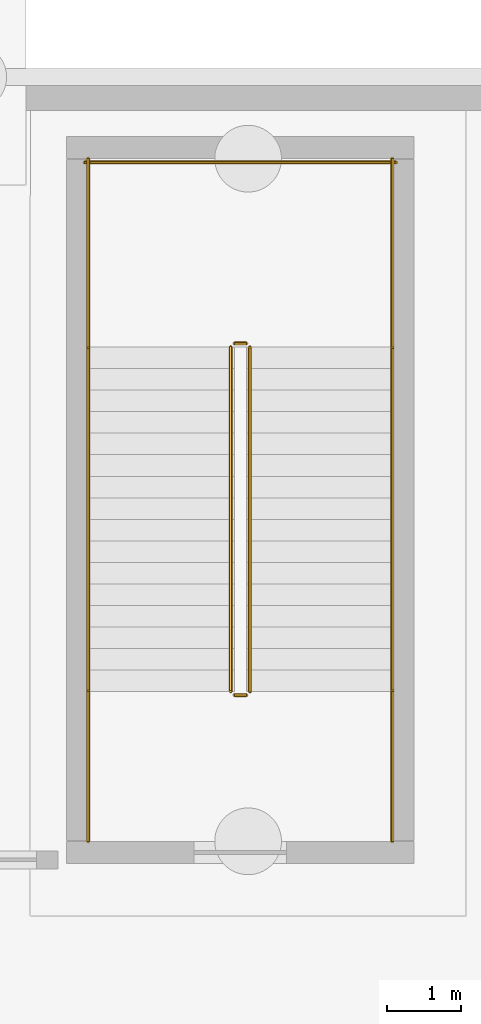
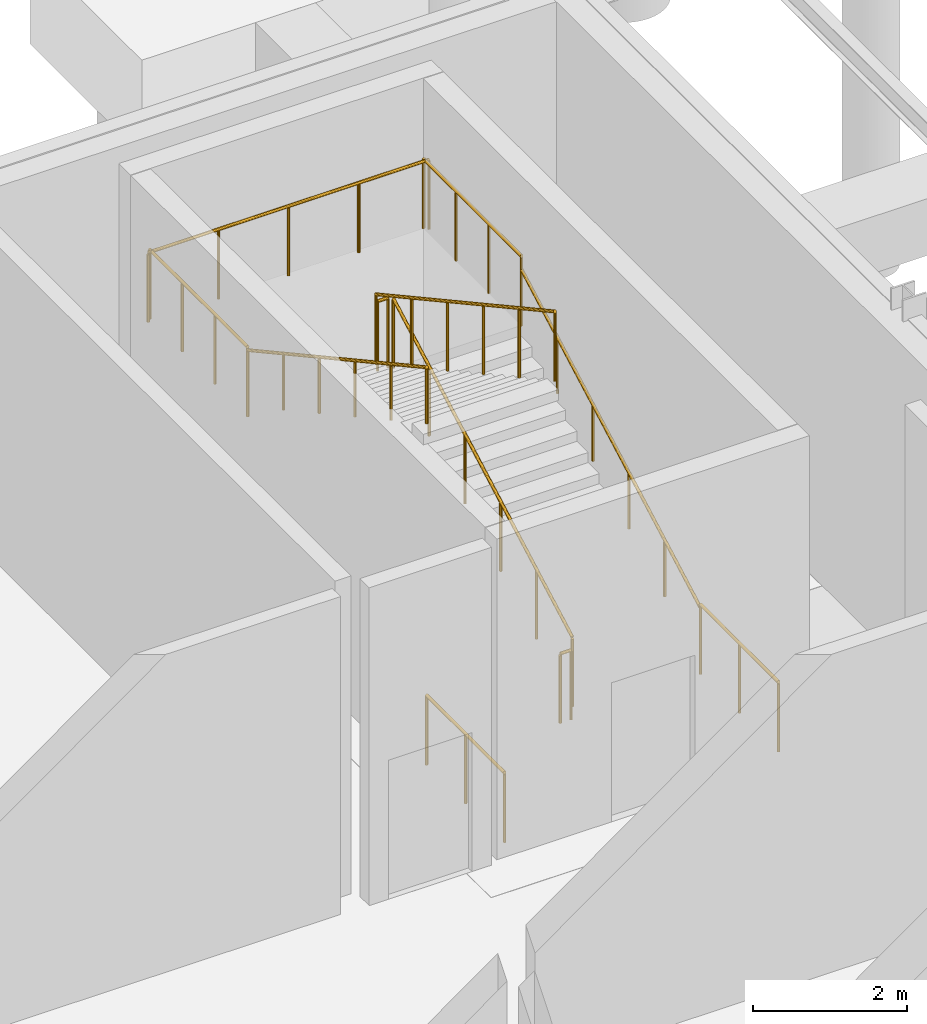
# One storey, part 41 of 48: 11 railings.
"""IFC4 building model written with IfcOpenShell, lengths in metres."""

from ifc_helpers import new_model, si_unit, direction, frame, origin, origin_2d, place, context, subcontext, project, spatial, circle, extrude, material, layer, layer_set, type_object, element, save


model = new_model("IFC4")

# Units and contexts
model_context = context("Model", 3, precision=1e-05, world=origin(), true_north=direction((0.0, 1.0)))
body_context = subcontext(model_context, "Body", "Model", "MODEL_VIEW")
ifc_project = project(units=[si_unit("LENGTHUNIT", "METRE"), si_unit("AREAUNIT", "SQUARE_METRE"), si_unit("VOLUMEUNIT", "CUBIC_METRE"), si_unit("PLANEANGLEUNIT", "RADIAN"), si_unit("MASSUNIT", "GRAM", prefix="KILO")], contexts=[model_context])

# Site, building, storey
site_placement = place(None, origin())
site = spatial("IfcSite", under=ifc_project, at=site_placement, CompositionType="ELEMENT")
building_placement = place(site_placement, origin())
building = spatial("IfcBuilding", under=site, at=building_placement, Name="Sarnbrook Museum", CompositionType="ELEMENT")
storey_placement = place(building_placement, frame((0.0, 0.0, -5.39990234375)))
storey = spatial("IfcBuildingStorey", under=building, at=storey_placement, Name="B1", CompositionType="ELEMENT", Elevation=-5.39990234375)

# Railings
ifc_material = material(Name="Brushed Stainless Steel Grade 316", Category="steel")
ifc_layer_1 = layer(ifc_material, 0.050048828125)
ifc_layer_set_1 = layer_set([ifc_layer_1], Name="Brushed Stainless Steel Grade 316")
railing_type_1 = type_object("IfcRailingType", Name="Guard_Int1120", PredefinedType="BALUSTRADE", material=ifc_layer_set_1)
railing_1_placement = place(storey_placement, frame((76.070068359375, 22.1201171875, 0.15869140625)))
element("IfcRailing", 1, at=railing_1_placement, inside=storey, type_object=railing_type_1, Name="B1 ST8 stair guard 1", PredefinedType="BALUSTRADE", context=body_context, shape_type="SweptSolid", body=[
    extrude(circle(Radius=0.02392578125, at=origin_2d()), frame((0.0, 0.0, 1.09619140625), z_axis=(0.0, 0.877067103421, 0.480367875796), x_axis=(-1.0, 0.0, 0.0)), (0.0, 0.0, 1.0), 5.290283203125),
    extrude(circle(Radius=0.02099609375, at=origin_2d()), origin(), (0.0, 0.0, 1.0), 1.072021484375),
    extrude(circle(Radius=0.02099609375, at=origin_2d()), frame((0.0, 0.927978515625, 0.50830078125)), (0.0, 0.0, 1.0), 1.072021484375),
    extrude(circle(Radius=0.02099609375, at=origin_2d()), frame((0.0, 1.85595703125, 1.0166015625)), (0.0, 0.0, 1.0), 1.072021484375),
    extrude(circle(Radius=0.02099609375, at=origin_2d()), frame((0.0, 2.783935546875, 1.524658203125)), (0.0, 0.0, 1.0), 1.072021484375),
    extrude(circle(Radius=0.02099609375, at=origin_2d()), frame((0.0, 3.7119140625, 2.032958984375)), (0.0, 0.0, 1.0), 1.072021484375),
    extrude(circle(Radius=0.02099609375, at=origin_2d()), frame((0.0, 4.639892578125, 2.541259765625)), (0.0, 0.0, 1.0), 1.072021484375),
])
railing_2_placement = place(storey_placement, frame((76.02001953125, 26.81005859375, 2.699951171875)))
element("IfcRailing", 2, at=railing_2_placement, inside=storey, type_object=railing_type_1, Name="B1 ST8 stair guard 2", PredefinedType="BALUSTRADE", context=body_context, shape_type="SweptSolid", body=[
    extrude(circle(Radius=0.02392578125, at=origin_2d()), frame((0.0, 0.0, 1.09619140625), z_axis=(-1.0, 0.0, 0.0), x_axis=(0.0, -1.0, 0.0)), (0.0, 0.0, 1.0), 0.159912109375),
    extrude(circle(Radius=0.02099609375, at=origin_2d()), origin(), (0.0, 0.0, 1.0), 1.072021484375),
    extrude(circle(Radius=0.02099609375, at=origin_2d()), frame((-0.159912109375, 0.0, 0.0)), (0.0, 0.0, 1.0), 1.072021484375),
])
for number, where, name in (
    (3, (77.989990234375, 26.760009765625, 2.699951171875), "B1 ST8 stair guard 3"),
    (4, (73.889892578125, 26.760009765625, 2.699951171875), "B1 ST8 stair guard 4"),
):
    element("IfcRailing", number, at=place(storey_placement, frame(where)), inside=storey, type_object=railing_type_1, Name=name, PredefinedType="BALUSTRADE", context=body_context, shape_type="SweptSolid", body=[
        extrude(circle(Radius=0.02392578125, at=origin_2d()), frame((0.0, 0.0, 1.09619140625), z_axis=(0.0, 1.0, 0.0), x_axis=(-1.0, 0.0, 0.0)), (0.0, 0.0, 1.0), 2.5400390625),
        extrude(circle(Radius=0.02099609375, at=origin_2d()), origin(), (0.0, 0.0, 1.0), 1.072021484375),
        extrude(circle(Radius=0.02099609375, at=origin_2d()), frame((0.0, 0.8466796875, 0.0)), (0.0, 0.0, 1.0), 1.072021484375),
        extrude(circle(Radius=0.02099609375, at=origin_2d()), frame((0.0, 1.693359375, 0.0)), (0.0, 0.0, 1.0), 1.072021484375),
        extrude(circle(Radius=0.02099609375, at=origin_2d()), frame((0.0, 2.5400390625, 0.0)), (0.0, 0.0, 1.0), 1.072021484375),
    ])
railing_3_placement = place(storey_placement, frame((78.0400390625, 29.25, 2.699951171875)))
element("IfcRailing", 5, at=railing_3_placement, inside=storey, type_object=railing_type_1, Name="B1 ST8 stair guard 5", PredefinedType="BALUSTRADE", context=body_context, shape_type="SweptSolid", body=[
    extrude(circle(Radius=0.02392578125, at=origin_2d()), frame((0.0, 0.0, 1.09619140625), z_axis=(-1.0, 0.0, 0.0), x_axis=(0.0, -1.0, 0.0)), (0.0, 0.0, 1.0), 4.199951171875),
    extrude(circle(Radius=0.02099609375, at=origin_2d()), origin(), (0.0, 0.0, 1.0), 1.072021484375),
    extrude(circle(Radius=0.02099609375, at=origin_2d()), frame((-1.050048828125, 0.0, 0.0)), (0.0, 0.0, 1.0), 1.072021484375),
    extrude(circle(Radius=0.02099609375, at=origin_2d()), frame((-2.10009765625, 0.0, 0.0)), (0.0, 0.0, 1.0), 1.072021484375),
    extrude(circle(Radius=0.02099609375, at=origin_2d()), frame((-3.14990234375, 0.0, 0.0)), (0.0, 0.0, 1.0), 1.072021484375),
    extrude(circle(Radius=0.02099609375, at=origin_2d()), frame((-4.199951171875, 0.0, 0.0)), (0.0, 0.0, 1.0), 1.072021484375),
])
railing_4_placement = place(storey_placement, frame((75.81005859375, 26.760009765625, 2.858642578125)))
element("IfcRailing", 6, at=railing_4_placement, inside=storey, type_object=railing_type_1, Name="B1 ST8 stair guard 6", PredefinedType="BALUSTRADE", context=body_context, shape_type="SweptSolid", body=[
    extrude(circle(Radius=0.02392578125, at=origin_2d()), frame((0.0, 0.0, 1.09619140625), z_axis=(0.0, -0.877067103421, 0.480367875796), x_axis=(1.0, 0.0, 0.0)), (0.0, 0.0, 1.0), 5.290283203125),
    extrude(circle(Radius=0.02099609375, at=origin_2d()), origin(), (0.0, 0.0, 1.0), 1.072021484375),
    extrude(circle(Radius=0.02099609375, at=origin_2d()), frame((0.0, -0.927978515625, 0.50830078125)), (0.0, 0.0, 1.0), 1.072021484375),
    extrude(circle(Radius=0.02099609375, at=origin_2d()), frame((0.0, -1.85595703125, 1.0166015625)), (0.0, 0.0, 1.0), 1.072021484375),
    extrude(circle(Radius=0.02099609375, at=origin_2d()), frame((0.0, -2.783935546875, 1.524658203125)), (0.0, 0.0, 1.0), 1.072021484375),
    extrude(circle(Radius=0.02099609375, at=origin_2d()), frame((0.0, -3.7119140625, 2.032958984375)), (0.0, 0.0, 1.0), 1.072021484375),
    extrude(circle(Radius=0.02099609375, at=origin_2d()), frame((0.0, -4.639892578125, 2.541259765625)), (0.0, 0.0, 1.0), 1.072021484375),
])
railing_5_placement = place(storey_placement, frame((76.02001953125, 22.070068359375, 0.0)))
element("IfcRailing", 7, at=railing_5_placement, inside=storey, type_object=railing_type_1, Name="B1 ST8 stair guard 7", PredefinedType="BALUSTRADE", context=body_context, shape_type="SweptSolid", body=[
    extrude(circle(Radius=0.02392578125, at=origin_2d()), frame((0.0, 0.0, 1.09619140625), z_axis=(-1.0, 0.0, 0.0), x_axis=(0.0, -1.0, 0.0)), (0.0, 0.0, 1.0), 0.159912109375),
    extrude(circle(Radius=0.02099609375, at=origin_2d()), origin(), (0.0, 0.0, 1.0), 1.072021484375),
    extrude(circle(Radius=0.02099609375, at=origin_2d()), frame((-0.159912109375, 0.0, 0.0)), (0.0, 0.0, 1.0), 1.072021484375),
])
for number, where, name in (
    (8, (77.989990234375, 20.10009765625, 0.0), "B1 ST8 stair guard 8"),
    (9, (73.889892578125, 20.10009765625, 0.0), "B1 ST8 stair guard 9"),
):
    element("IfcRailing", number, at=place(storey_placement, frame(where)), inside=storey, type_object=railing_type_1, Name=name, PredefinedType="BALUSTRADE", context=body_context, shape_type="SweptSolid", body=[
        extrude(circle(Radius=0.02392578125, at=origin_2d()), frame((0.0, 0.0, 1.09619140625), z_axis=(0.0, 1.0, 0.0), x_axis=(-1.0, 0.0, 0.0)), (0.0, 0.0, 1.0), 2.02001953125),
        extrude(circle(Radius=0.02099609375, at=origin_2d()), origin(), (0.0, 0.0, 1.0), 1.072021484375),
        extrude(circle(Radius=0.02099609375, at=origin_2d()), frame((0.0, 1.010009765625, 0.0)), (0.0, 0.0, 1.0), 1.072021484375),
        extrude(circle(Radius=0.02099609375, at=origin_2d()), frame((0.0, 2.02001953125, 0.0)), (0.0, 0.0, 1.0), 1.072021484375),
    ])
ifc_layer_2 = layer(ifc_material, 0.048095703125)
ifc_layer_set_2 = layer_set([ifc_layer_2], Name="Brushed Stainless Steel Grade 316")
railing_type_2 = type_object("IfcRailingType", Name="Handrail_920", PredefinedType="HANDRAIL", material=ifc_layer_set_2)
railing_6_placement = place(storey_placement, frame((77.989990234375, 22.1201171875, 0.15869140625)))
element("IfcRailing", 10, at=railing_6_placement, inside=storey, type_object=railing_type_2, Name="B1 ST8 stair handrail 1", PredefinedType="HANDRAIL", context=body_context, shape_type="SweptSolid", body=[
    extrude(circle(Radius=0.02392578125, at=origin_2d()), frame((0.0, 0.0, 0.8857421875), z_axis=(0.0, 0.877067103421, 0.480367875796), x_axis=(-1.0, 0.0, 0.0)), (0.0, 0.0, 1.0), 5.290283203125),
    extrude(circle(Radius=0.02099609375, at=origin_2d()), origin(), (0.0, 0.0, 1.0), 0.86181640625),
    extrude(circle(Radius=0.02099609375, at=origin_2d()), frame((0.0, 0.927978515625, 0.50830078125)), (0.0, 0.0, 1.0), 0.86181640625),
    extrude(circle(Radius=0.02099609375, at=origin_2d()), frame((0.0, 1.85595703125, 1.0166015625)), (0.0, 0.0, 1.0), 0.86181640625),
    extrude(circle(Radius=0.02099609375, at=origin_2d()), frame((0.0, 2.783935546875, 1.524658203125)), (0.0, 0.0, 1.0), 0.86181640625),
    extrude(circle(Radius=0.02099609375, at=origin_2d()), frame((0.0, 3.7119140625, 2.032958984375)), (0.0, 0.0, 1.0), 0.86181640625),
    extrude(circle(Radius=0.02099609375, at=origin_2d()), frame((0.0, 4.639892578125, 2.541259765625)), (0.0, 0.0, 1.0), 0.86181640625),
])
railing_7_placement = place(storey_placement, frame((73.889892578125, 26.760009765625, 2.858642578125)))
element("IfcRailing", 11, at=railing_7_placement, inside=storey, type_object=railing_type_2, Name="B1 ST8 stair handrail 2", PredefinedType="HANDRAIL", context=body_context, shape_type="SweptSolid", body=[
    extrude(circle(Radius=0.02392578125, at=origin_2d()), frame((0.0, 0.0, 0.8857421875), z_axis=(0.0, -0.877067103421, 0.480367875796), x_axis=(1.0, 0.0, 0.0)), (0.0, 0.0, 1.0), 5.290283203125),
    extrude(circle(Radius=0.02099609375, at=origin_2d()), origin(), (0.0, 0.0, 1.0), 0.86181640625),
    extrude(circle(Radius=0.02099609375, at=origin_2d()), frame((0.0, -0.927978515625, 0.50830078125)), (0.0, 0.0, 1.0), 0.86181640625),
    extrude(circle(Radius=0.02099609375, at=origin_2d()), frame((0.0, -1.85595703125, 1.0166015625)), (0.0, 0.0, 1.0), 0.86181640625),
    extrude(circle(Radius=0.02099609375, at=origin_2d()), frame((0.0, -2.783935546875, 1.524658203125)), (0.0, 0.0, 1.0), 0.86181640625),
    extrude(circle(Radius=0.02099609375, at=origin_2d()), frame((0.0, -3.7119140625, 2.032958984375)), (0.0, 0.0, 1.0), 0.86181640625),
    extrude(circle(Radius=0.02099609375, at=origin_2d()), frame((0.0, -4.639892578125, 2.541259765625)), (0.0, 0.0, 1.0), 0.86181640625),
])

save(model, "model.ifc")
